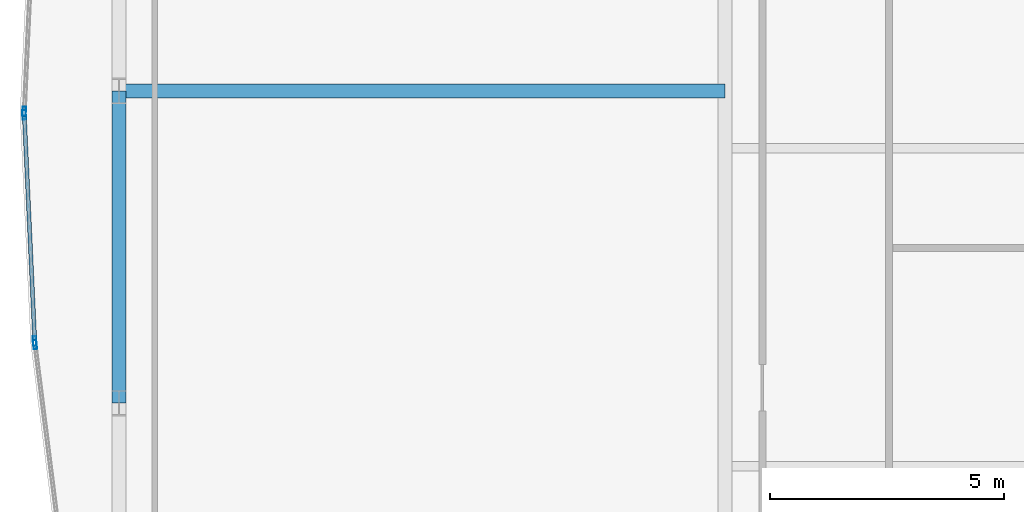
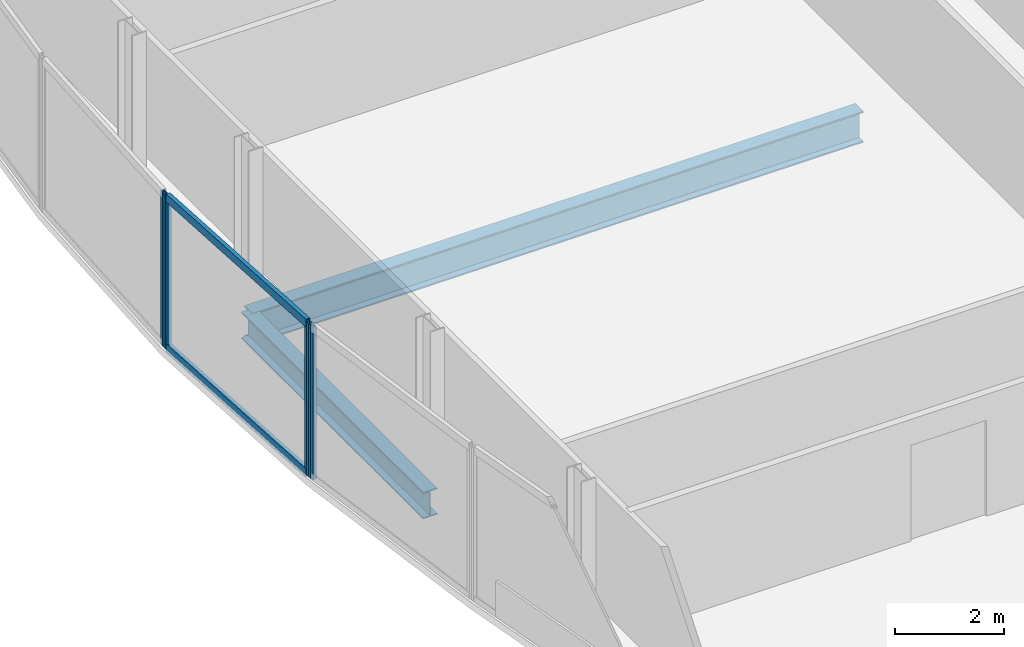
# One storey, part 10 of 29: 6 members, 2 beams, 3 elements without a shape of their own.
"""IFC4 building model written with IfcOpenShell, lengths in metres."""

from ifc_helpers import new_model, si_unit, direction, frame, origin, origin_2d, place, context, subcontext, project, spatial, hollow_rectangle, i_section, extrude, material, material_profile, profile_set, type_object, element, aggregate, save


model = new_model("IFC4")

# Units and contexts
model_context = context("Model", 3, precision=1e-05, world=origin(), true_north=direction((0.0, 1.0)))
body_context = subcontext(model_context, "Body", "Model", "MODEL_VIEW")
ifc_project = project(units=[si_unit("LENGTHUNIT", "METRE"), si_unit("AREAUNIT", "SQUARE_METRE"), si_unit("VOLUMEUNIT", "CUBIC_METRE"), si_unit("PLANEANGLEUNIT", "RADIAN"), si_unit("MASSUNIT", "GRAM", prefix="KILO")], contexts=[model_context])

# Site, building, storey
site_placement = place(None, origin())
site = spatial("IfcSite", under=ifc_project, at=site_placement, CompositionType="ELEMENT")
building_placement = place(site_placement, origin())
building = spatial("IfcBuilding", under=site, at=building_placement, Name="Khoronbel Lancet Exchange", CompositionType="ELEMENT")
storey_placement = place(building_placement, frame((0.0, 0.0, 150.60009765625)))
storey = spatial("IfcBuildingStorey", under=building, at=storey_placement, Name="L37", CompositionType="ELEMENT", Elevation=150.60009765625)

# Beams
ifc_material_1 = material(Name="Steel S355", Category="steel")
ifc_material_profile_1 = material_profile(ifc_material_1, i_section(OverallWidth=0.300048828125, OverallDepth=0.699951171875, WebThickness=0.01708984375, FlangeThickness=0.031982421875, at=origin_2d()), Name="HEB 700")
ifc_profile_set_1 = profile_set([ifc_material_profile_1], Name="Steel S355")
beam_type_1 = type_object("IfcBeamType", Name="BM-BG3", PredefinedType="BEAM", material=ifc_profile_set_1)
beam_1_placement = place(storey_placement, frame((5.27001953125, 31.425048828125, -0.510009765625), z_axis=(1.0, 0.0, 0.0), x_axis=(0.0, 1.0, 0.0)))
element("IfcBeam", 1, at=beam_1_placement, inside=storey, type_object=beam_type_1, Name="Level L37 west lens tie girder LG2W", PredefinedType="BEAM", context=body_context, shape_type="SweptSolid", body=[
    extrude(i_section(OverallWidth=0.300048828125, OverallDepth=0.699951171875, WebThickness=0.01708984375, FlangeThickness=0.031982421875, at=origin_2d()), origin(), (0.0, 0.0, 1.0), 12.955078125),
])
ifc_material_profile_2 = material_profile(ifc_material_1, i_section(OverallWidth=0.300048828125, OverallDepth=0.60009765625, WebThickness=0.015380859375, FlangeThickness=0.030029296875, at=origin_2d()), Name="HEB 600")
ifc_profile_set_2 = profile_set([ifc_material_profile_2], Name="Steel S355")
beam_type_2 = type_object("IfcBeamType", Name="BM-BSP2", PredefinedType="SPANDREL", material=ifc_profile_set_2)
beam_2_placement = place(storey_placement, frame((5.27001953125, 31.425048828125, -0.460205078125), z_axis=(0.0, -1.0, 0.0), x_axis=(1.0, 0.0, 0.0)))
element("IfcBeam", 2, at=beam_2_placement, inside=storey, type_object=beam_type_2, Name="Level L37 perimeter spandrel beam SP19", PredefinedType="SPANDREL", context=body_context, shape_type="SweptSolid", body=[
    extrude(i_section(OverallWidth=0.300048828125, OverallDepth=0.60009765625, WebThickness=0.015380859375, FlangeThickness=0.030029296875, at=origin_2d()), origin(), (0.0, 0.0, 1.0), 6.675048828125),
])

# Curtain wall, member
ifc_material_2 = material(Name="Low-E Solar Control Insulating Glass", Category="glass")
curtain_wall_type = type_object("IfcCurtainWallType", Name="CW-4", PredefinedType="NOTDEFINED", material=ifc_material_2)
curtain_wall_1_placement = place(storey_placement, origin())
curtain_wall_1 = element("IfcCurtainWall", 3, at=curtain_wall_1_placement, inside=storey, type_object=curtain_wall_type, Name="Unitised curtain wall CW-L37-E05", PredefinedType="NOTDEFINED")
ifc_material_3 = material(Name="Bronze-Anodised Aluminium 6063-T6", Category="aluminium")
ifc_material_profile_3 = material_profile(ifc_material_3, hollow_rectangle(XDim=0.074951171875, YDim=0.199951171875, WallThickness=0.0048828125, at=origin_2d()), Name="ALU MULLION 75x200")
ifc_profile_set_3 = profile_set([ifc_material_profile_3], Name="Bronze-Anodised Aluminium 6063-T6")
member_type_1 = type_object("IfcMemberType", Name="MEM-CWM2", PredefinedType="MULLION", material=ifc_profile_set_3)
member_1_placement = place(storey_placement, frame((3.47509765625, 26.00390625, 0.0), z_axis=(0.0, 0.0, 1.0), x_axis=(-0.992117302978, -0.125312637554, 0.0)))
member_1 = element("IfcMember", 4, at=member_1_placement, type_object=member_type_1, Name="CW4 mullion 2", PredefinedType="MULLION", context=body_context, shape_type="SweptSolid", body=[
    extrude(hollow_rectangle(XDim=0.074951171875, YDim=0.199951171875, WallThickness=0.0048828125, at=origin_2d()), origin(), (0.0, 0.0, 1.0), 3.43994140625),
])
aggregate(curtain_wall_1, [member_1])

# Curtain wall, members
curtain_wall_2_placement = place(storey_placement, origin())
curtain_wall_2 = element("IfcCurtainWall", 5, at=curtain_wall_2_placement, inside=storey, type_object=curtain_wall_type, Name="Unitised curtain wall CW-L37-E06", PredefinedType="NOTDEFINED")
member_2_placement = place(storey_placement, frame((3.46875, 26.078369140625, 0.0), z_axis=(0.0, 0.0, 1.0), x_axis=(-0.998933507657, -0.046171931737, 0.0)))
member_2 = element("IfcMember", 6, at=member_2_placement, type_object=member_type_1, Name="CW4 mullion 1", PredefinedType="MULLION", context=body_context, shape_type="SweptSolid", body=[
    extrude(hollow_rectangle(XDim=0.074951171875, YDim=0.199951171875, WallThickness=0.0048828125, at=origin_2d()), origin(), (0.0, 0.0, 1.0), 3.43994140625),
])
member_3_placement = place(storey_placement, frame((3.2451171875, 30.91259765625, 0.0), z_axis=(0.0, 0.0, 1.0), x_axis=(-0.998933507657, -0.046171931737, 0.0)))
member_3 = element("IfcMember", 7, at=member_3_placement, type_object=member_type_1, Name="CW4 mullion 2", PredefinedType="MULLION", context=body_context, shape_type="SweptSolid", body=[
    extrude(hollow_rectangle(XDim=0.074951171875, YDim=0.199951171875, WallThickness=0.0048828125, at=origin_2d()), origin(), (0.0, 0.0, 1.0), 3.43994140625),
])

# Curtain wall, member
curtain_wall_3_placement = place(storey_placement, origin())
curtain_wall_3 = element("IfcCurtainWall", 8, at=curtain_wall_3_placement, inside=storey, type_object=curtain_wall_type, Name="Unitised curtain wall CW-L37-E07", PredefinedType="NOTDEFINED")
member_4_placement = place(storey_placement, frame((3.2451171875, 30.987548828125, 0.0), z_axis=(0.0, 0.0, 1.0), x_axis=(-0.998933507657, 0.046171931737, 0.0)))
member_4 = element("IfcMember", 9, at=member_4_placement, type_object=member_type_1, Name="CW4 mullion 1", PredefinedType="MULLION", context=body_context, shape_type="SweptSolid", body=[
    extrude(hollow_rectangle(XDim=0.074951171875, YDim=0.199951171875, WallThickness=0.0048828125, at=origin_2d()), origin(), (0.0, 0.0, 1.0), 3.43994140625),
])
aggregate(curtain_wall_3, [member_4])

# Member
ifc_material_profile_4 = material_profile(ifc_material_3, hollow_rectangle(XDim=0.0849609375, YDim=0.179931640625, WallThickness=0.0048828125, at=origin_2d()), Name="ALU TRANSOM 85x180")
ifc_profile_set_4 = profile_set([ifc_material_profile_4], Name="Bronze-Anodised Aluminium 6063-T6")
member_type_2 = type_object("IfcMemberType", Name="MEM-CWT1", PredefinedType="USERDEFINED", material=ifc_profile_set_4)
member_5_placement = place(storey_placement, frame((3.467041015625, 26.115966796875, 0.04248046875), z_axis=(-0.046172424454, 0.998933484883, 0.0), x_axis=(-0.998933484883, -0.046172424454, 0.0)))
member_5 = element("IfcMember", 10, at=member_5_placement, type_object=member_type_2, Name="CW4 transom 1.1", ObjectType="TRANSOM", PredefinedType="USERDEFINED", context=body_context, shape_type="SweptSolid", body=[
    extrude(hollow_rectangle(XDim=0.0849609375, YDim=0.179931640625, WallThickness=0.0048828125, at=origin_2d()), origin(), (0.0, 0.0, 1.0), 4.76416015625),
])

member_6_placement = place(storey_placement, frame((3.467041015625, 26.115966796875, 3.3974609375), z_axis=(-0.046172424454, 0.998933484883, 0.0), x_axis=(-0.998933484883, -0.046172424454, 0.0)))
member_6 = element("IfcMember", 11, at=member_6_placement, type_object=member_type_2, Name="CW4 transom 1.2", ObjectType="TRANSOM", PredefinedType="USERDEFINED", context=body_context, shape_type="SweptSolid", body=[
    extrude(hollow_rectangle(XDim=0.0849609375, YDim=0.179931640625, WallThickness=0.0048828125, at=origin_2d()), origin(), (0.0, 0.0, 1.0), 4.76416015625),
])

aggregate(curtain_wall_2, [member_2, member_3, member_5, member_6])

save(model, "model.ifc")
